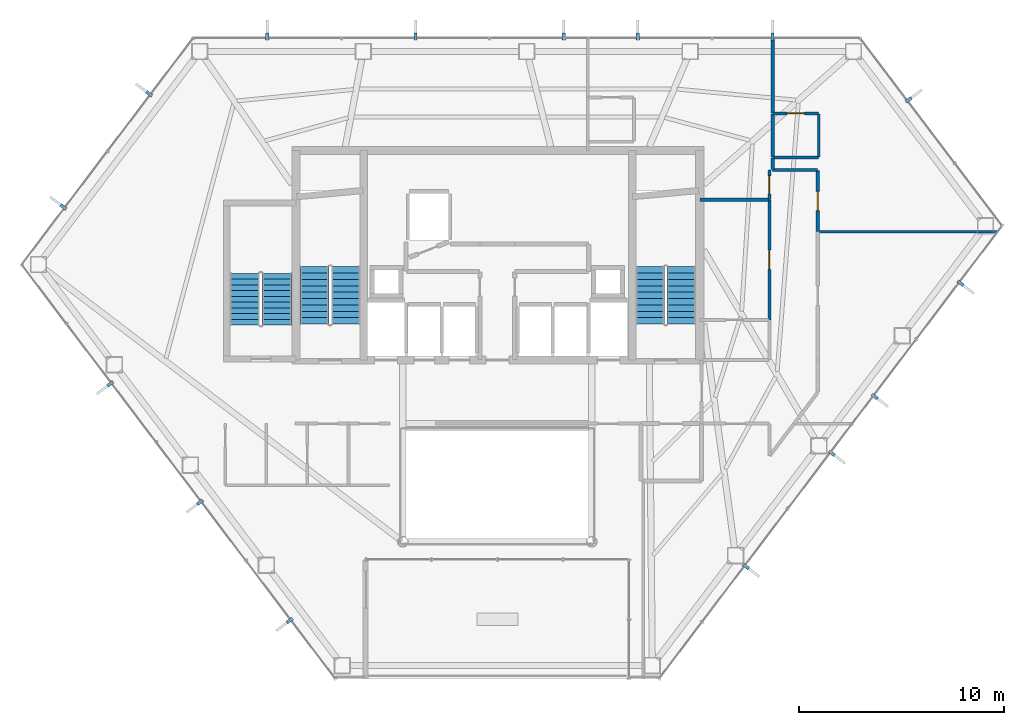
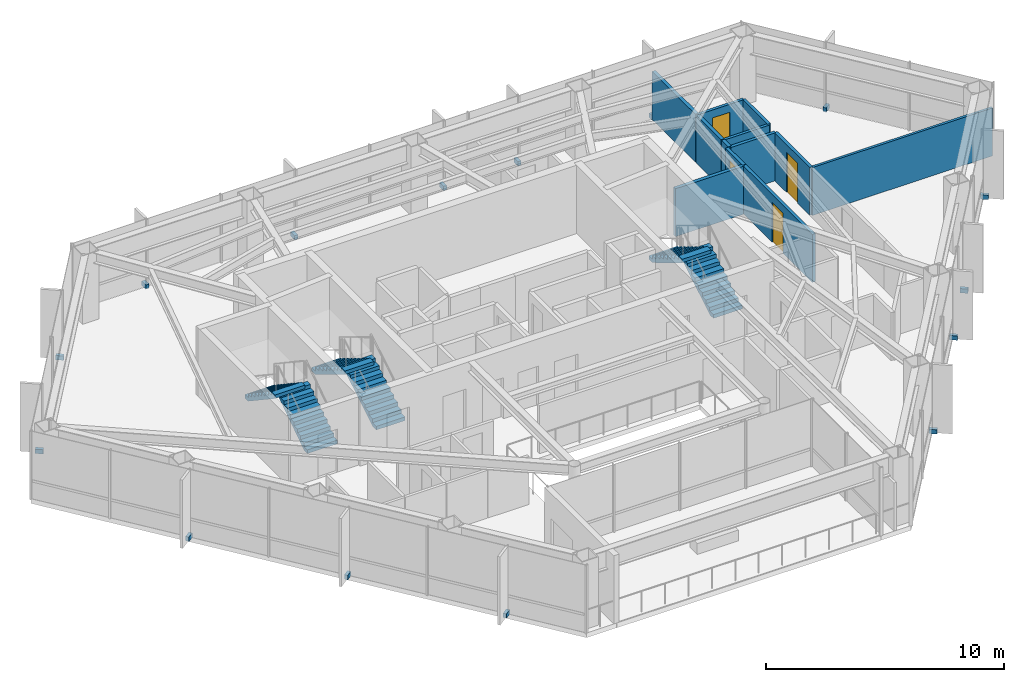
# One storey, part 27 of 28: 15 discrete accessories, 12 walls, 6 stair flights, 4 doors, 4 openings, 3 elements without a shape of their own.
"""IFC4 building model written with IfcOpenShell, lengths in metres."""

from ifc_helpers import new_model, si_unit, direction, frame, frame_2d, origin, origin_2d, place, context, subcontext, project, spatial, polyline, rectangle, outline, extrude, material, layer, layer_set, type_object, element, fill, aggregate, save


model = new_model("IFC4")

# Units and contexts
model_context = context("Model", 3, precision=1e-05, world=origin(), true_north=direction((0.0, 1.0)))
body_context = subcontext(model_context, "Body", "Model", "MODEL_VIEW")
ifc_project = project(units=[si_unit("LENGTHUNIT", "METRE"), si_unit("AREAUNIT", "SQUARE_METRE"), si_unit("VOLUMEUNIT", "CUBIC_METRE"), si_unit("PLANEANGLEUNIT", "RADIAN"), si_unit("MASSUNIT", "GRAM", prefix="KILO")], contexts=[model_context])

# Site, building, storey
site_placement = place(None, origin())
site = spatial("IfcSite", under=ifc_project, at=site_placement, CompositionType="ELEMENT")
building_placement = place(site_placement, origin())
building = spatial("IfcBuilding", under=site, at=building_placement, Name="Zarrinselat Tower", CompositionType="ELEMENT")
storey_placement = place(building_placement, frame((0.0, 0.0, 157.080078125)))
storey = spatial("IfcBuildingStorey", under=building, at=storey_placement, Name="L38", CompositionType="ELEMENT", Elevation=157.080078125)

# Walls
ifc_material_1 = material(Name="Fire-Rated Gypsum Board Partition", Category="gypsum")
ifc_layer_1 = layer(ifc_material_1, 0.1650390625)
ifc_layer_set_1 = layer_set([ifc_layer_1], Name="Fire-Rated Gypsum Board Partition")
wall_type_1 = type_object("IfcWallType", Name="WAL-PART-DEMISE", PredefinedType="PARTITIONING", material=ifc_layer_set_1)
wall_1_placement = place(storey_placement, frame((51.800048828125, 42.52001953125, 0.0), z_axis=(0.0, 0.0, 1.0), x_axis=(0.0, 1.0, 0.0)))
element("IfcWall", 1, at=wall_1_placement, inside=storey, type_object=wall_type_1, Name="L38 Partition Wall 48", PredefinedType="PARTITIONING", context=body_context, shape_type="SweptSolid", body=[
    extrude(rectangle(XDim=0.56494140625, YDim=0.1650390625, at=frame_2d((0.282470703125, 0.0))), origin(), (0.0, 0.0, 1.0), 2.45703125),
])
wall_2_placement = place(storey_placement, frame((51.800048828125, 45.27490234375, 0.0), z_axis=(0.0, 0.0, 1.0), x_axis=(0.0, 1.0, 0.0)))
element("IfcWall", 2, at=wall_2_placement, inside=storey, type_object=wall_type_1, Name="L38 Partition Wall 49", PredefinedType="PARTITIONING", context=body_context, shape_type="SweptSolid", body=[
    extrude(rectangle(XDim=3.626708984375, YDim=0.1650390625, at=frame_2d((1.8134765625, 0.0))), origin(), (0.0, 0.0, 1.0), 2.45703125),
])
wall_3_placement = place(storey_placement, frame((51.800048828125, 43.125, 0.0), z_axis=(0.0, 0.0, 1.0), x_axis=(0.0, 1.0, 0.0)))
element("IfcWall", 3, at=wall_3_placement, inside=storey, type_object=wall_type_1, Name="L38 Partition Wall 50", PredefinedType="PARTITIONING", context=body_context, shape_type="SweptSolid", body=[
    extrude(rectangle(XDim=2.110107421875, YDim=0.1650390625, at=frame_2d((1.05517578125, 0.0))), origin(), (0.0, 0.0, 1.0), 2.45703125),
])
wall_4_placement = place(storey_placement, frame((48.27490234375, 41.05322265625, 0.0), z_axis=(0.0, 0.0, 1.0), x_axis=(1.0, 0.0, 0.0)))
element("IfcWall", 4, at=wall_4_placement, inside=storey, type_object=wall_type_1, Name="L38 Partition Wall 52", PredefinedType="PARTITIONING", context=body_context, shape_type="SweptSolid", body=[
    extrude(rectangle(XDim=3.35498046875, YDim=0.1650390625, at=frame_2d((1.677490234375, 0.0))), origin(), (0.0, 0.0, 1.0), 2.45703125),
])
ifc_material_2 = material(Name="Fire-Rated Gypsum Board Partition", Category="gypsum")
ifc_layer_2 = layer(ifc_material_2, 0.14990234375)
ifc_layer_set_2 = layer_set([ifc_layer_2], Name="Fire-Rated Gypsum Board Partition")
wall_type_2 = type_object("IfcWallType", Name="WAL-PART-EI60", PredefinedType="PARTITIONING", material=ifc_layer_set_2)
wall_5_placement = place(storey_placement, frame((51.804931640625, 42.5, 0.0), z_axis=(0.0, 0.0, 1.0), x_axis=(1.0, 0.0, 0.0)))
element("IfcWall", 5, at=wall_5_placement, inside=storey, type_object=wall_type_2, Name="L38 Partition Wall 25", PredefinedType="PARTITIONING", context=body_context, shape_type="SweptSolid", body=[
    extrude(rectangle(XDim=2.175048828125, YDim=0.14990234375, at=frame_2d((1.08740234375, 0.0))), origin(), (0.0, 0.0, 1.0), 2.45703125),
])

# Wall, opening, door
wall_6_placement = place(storey_placement, frame((54.0, 39.50830078125, 0.0), z_axis=(0.0, 0.0, 1.0), x_axis=(0.0, 1.0, 0.0)))
wall_6 = element("IfcWall", 6, at=wall_6_placement, inside=storey, type_object=wall_type_2, Name="L38 Partition Wall 26", PredefinedType="PARTITIONING", context=body_context, shape_type="SweptSolid", body=[
    extrude(rectangle(XDim=2.9716796875, YDim=0.14990234375, at=frame_2d((1.48583984375, 0.0))), origin(), (0.0, 0.0, 1.0), 2.45703125),
])
opening_1_placement = place(wall_6_placement, frame((1.015869140625, 0.0, 0.0)))
opening_1 = element("IfcOpeningElement", 7, at=opening_1_placement, cuts=wall_6, Name="Opening ID-04", PredefinedType="OPENING", context=body_context, shape_type="SweptSolid", body=[
    extrude(rectangle(XDim=0.93994140625, YDim=2.050048828125, at=frame_2d((0.469970703125, 1.02490234375))), frame((0.0, 0.0849609375, 0.0), z_axis=(0.0, -1.0, 0.0), x_axis=(1.0, 0.0, 0.0)), (0.0, 0.0, 1.0), 0.169921875),
])
ifc_material_3 = material(Name="Fire-Rated Gypsum Board Partition")
door_type_1 = type_object("IfcDoorType", Name="DR-INT-FD30-ENT", OperationType="NOTDEFINED", PredefinedType="DOOR", material=ifc_material_3)
door_1_placement = place(opening_1_placement, origin())
door_1 = element("IfcDoor", 8, at=door_1_placement, inside=storey, type_object=door_type_1, Name="L38 Interior Door P26", OperationType="SINGLE_SWING_RIGHT", OverallHeight=2.050048828125, OverallWidth=0.93994140625, PredefinedType="DOOR", context=body_context, shape_type="SweptSolid", body=[
    extrude(rectangle(XDim=0.93994140625, YDim=2.050048828125, at=frame_2d((0.469970703125, 1.02490234375))), frame((0.0, 0.02490234375, 0.0), z_axis=(0.0, -1.0, 0.0), x_axis=(1.0, 0.0, 0.0)), (0.0, 0.0, 1.0), 0.050048828125),
])
fill(opening_1, door_1)

wall_7_placement = place(storey_placement, frame((51.64990234375, 35.205810546875, 0.0), z_axis=(0.0, 0.0, 1.0), x_axis=(0.0, 1.0, 0.0)))
wall_7 = element("IfcWall", 9, at=wall_7_placement, inside=storey, type_object=wall_type_2, Name="L38 Partition Wall 27", PredefinedType="PARTITIONING", context=body_context, shape_type="SweptSolid", body=[
    extrude(rectangle(XDim=5.842529296875, YDim=0.14990234375, at=frame_2d((2.92138671875, 0.0))), origin(), (0.0, 0.0, 1.0), 2.45703125),
])
opening_2_placement = place(wall_7_placement, frame((2.451171875, 0.0, 0.0)))
opening_2 = element("IfcOpeningElement", 10, at=opening_2_placement, cuts=wall_7, Name="Opening ID-04", PredefinedType="OPENING", context=body_context, shape_type="SweptSolid", body=[
    extrude(rectangle(XDim=0.93994140625, YDim=2.050048828125, at=frame_2d((0.469970703125, 1.02490234375))), frame((0.0, 0.0849609375, 0.0), z_axis=(0.0, -1.0, 0.0), x_axis=(1.0, 0.0, 0.0)), (0.0, 0.0, 1.0), 0.169921875),
])
door_2_placement = place(opening_2_placement, origin())
door_2 = element("IfcDoor", 11, at=door_2_placement, inside=storey, type_object=door_type_1, Name="L38 Interior Door P27", OperationType="SINGLE_SWING_LEFT", OverallHeight=2.050048828125, OverallWidth=0.93994140625, PredefinedType="DOOR", context=body_context, shape_type="SweptSolid", body=[
    extrude(rectangle(XDim=0.93994140625, YDim=2.050048828125, at=frame_2d((0.469970703125, 1.02490234375))), frame((0.0, 0.02490234375, 0.0), z_axis=(0.0, -1.0, 0.0), x_axis=(1.0, 0.0, 0.0)), (0.0, 0.0, 1.0), 0.050048828125),
])
fill(opening_2, door_2)

wall_8_placement = place(storey_placement, frame((51.64990234375, 41.058349609375, 0.0), z_axis=(0.0, 0.0, 1.0), x_axis=(0.0, 1.0, 0.0)))
wall_8 = element("IfcWall", 12, at=wall_8_placement, inside=storey, type_object=wall_type_2, Name="L38 Partition Wall 30", PredefinedType="PARTITIONING", context=body_context, shape_type="SweptSolid", body=[
    extrude(rectangle(XDim=1.441650390625, YDim=0.14990234375, at=frame_2d((0.720703125, 0.0))), origin(), (0.0, 0.0, 1.0), 2.45703125),
])
opening_3_placement = place(wall_8_placement, frame((0.28076171875, 0.0, 0.0)))
opening_3 = element("IfcOpeningElement", 13, at=opening_3_placement, cuts=wall_8, Name="Opening ID-03", PredefinedType="OPENING", context=body_context, shape_type="SweptSolid", body=[
    extrude(rectangle(XDim=0.8798828125, YDim=2.050048828125, at=frame_2d((0.43994140625, 1.02490234375))), frame((0.0, 0.0849609375, 0.0), z_axis=(0.0, -1.0, 0.0), x_axis=(1.0, 0.0, 0.0)), (0.0, 0.0, 1.0), 0.169921875),
])
ifc_material_4 = material(Name="Steel S355J2", Category="steel")
door_type_2 = type_object("IfcDoorType", Name="DR-INT-FD60-S", OperationType="NOTDEFINED", PredefinedType="DOOR", material=ifc_material_4)
door_3_placement = place(opening_3_placement, origin())
door_3 = element("IfcDoor", 14, at=door_3_placement, inside=storey, type_object=door_type_2, Name="L38 Interior Door P30", OperationType="SINGLE_SWING_RIGHT", OverallHeight=2.050048828125, OverallWidth=0.8798828125, PredefinedType="DOOR", context=body_context, shape_type="SweptSolid", body=[
    extrude(rectangle(XDim=0.8798828125, YDim=2.050048828125, at=frame_2d((0.43994140625, 1.02490234375))), frame((0.0, 0.02490234375, 0.0), z_axis=(0.0, -1.0, 0.0), x_axis=(1.0, 0.0, 0.0)), (0.0, 0.0, 1.0), 0.050048828125),
])
fill(opening_3, door_3)

# Walls
ifc_material_5 = material(Name="Fire-Rated Gypsum Board Partition", Category="gypsum")
ifc_layer_3 = layer(ifc_material_5, 0.1201171875)
ifc_layer_set_3 = layer_set([ifc_layer_3], Name="Fire-Rated Gypsum Board Partition")
wall_type_3 = type_object("IfcWallType", Name="WAL-PART-STD", PredefinedType="PARTITIONING", material=ifc_layer_set_3)
wall_9_placement = place(storey_placement, frame((54.02001953125, 39.50341796875, 0.0), z_axis=(0.0, 0.0, 1.0), x_axis=(1.0, 0.0, 0.0)))
element("IfcWall", 15, at=wall_9_placement, inside=storey, type_object=wall_type_3, Name="L38 Partition Wall 44", PredefinedType="PARTITIONING", context=body_context, shape_type="SweptSolid", body=[
    extrude(rectangle(XDim=8.733642578125, YDim=0.1201171875, at=frame_2d((4.36669921875, 0.0))), origin(), (0.0, 0.0, 1.0), 2.45703125),
])
ifc_material_6 = material(Name="Fire-Rated Gypsum Board Partition", Category="gypsum")
ifc_layer_4 = layer(ifc_material_6, 0.135009765625)
ifc_layer_set_4 = layer_set([ifc_layer_4], Name="Fire-Rated Gypsum Board Partition")
wall_type_4 = type_object("IfcWallType", Name="WAL-PART-WET", PredefinedType="PARTITIONING", material=ifc_layer_set_4)
wall_10_placement = place(storey_placement, frame((51.820068359375, 43.10498046875, 0.0), z_axis=(0.0, 0.0, 1.0), x_axis=(1.0, 0.0, 0.0)))
element("IfcWall", 16, at=wall_10_placement, inside=storey, type_object=wall_type_4, Name="L38 Partition Wall 45", PredefinedType="PARTITIONING", context=body_context, shape_type="SweptSolid", body=[
    extrude(rectangle(XDim=2.2099609375, YDim=0.135009765625, at=frame_2d((1.10498046875, 0.0))), origin(), (0.0, 0.0, 1.0), 2.45703125),
])
wall_11_placement = place(storey_placement, frame((54.050048828125, 43.125, 0.0), z_axis=(0.0, 0.0, 1.0), x_axis=(0.0, 1.0, 0.0)))
element("IfcWall", 17, at=wall_11_placement, inside=storey, type_object=wall_type_4, Name="L38 Partition Wall 46", PredefinedType="PARTITIONING", context=body_context, shape_type="SweptSolid", body=[
    extrude(rectangle(XDim=2.110107421875, YDim=0.135009765625, at=frame_2d((1.05517578125, 0.0))), origin(), (0.0, 0.0, 1.0), 2.45703125),
])

# Wall, opening, door
wall_12_placement = place(storey_placement, frame((51.820068359375, 45.2548828125, 0.0), z_axis=(0.0, 0.0, 1.0), x_axis=(1.0, 0.0, 0.0)))
wall_12 = element("IfcWall", 18, at=wall_12_placement, inside=storey, type_object=wall_type_4, Name="L38 Partition Wall 47", PredefinedType="PARTITIONING", context=body_context, shape_type="SweptSolid", body=[
    extrude(rectangle(XDim=2.2099609375, YDim=0.135009765625, at=frame_2d((1.10498046875, 0.0))), origin(), (0.0, 0.0, 1.0), 2.45703125),
])
opening_4_placement = place(wall_12_placement, frame((0.675048828125, 0.0, 0.0)))
opening_4 = element("IfcOpeningElement", 19, at=opening_4_placement, cuts=wall_12, Name="Opening ID-06", PredefinedType="OPENING", context=body_context, shape_type="SweptSolid", body=[
    extrude(rectangle(XDim=0.860107421875, YDim=2.050048828125, at=frame_2d((0.43017578125, 1.02490234375))), frame((0.0, 0.077392578125, 0.0), z_axis=(0.0, -1.0, 0.0), x_axis=(1.0, 0.0, 0.0)), (0.0, 0.0, 1.0), 0.155029296875),
])
ifc_material_7 = material(Name="Extruded Aluminium Alloy EN AW-6063 T6", Category="aluminium")
door_type_3 = type_object("IfcDoorType", Name="DR-INT-WET-900", OperationType="NOTDEFINED", PredefinedType="DOOR", material=ifc_material_7)
door_4_placement = place(opening_4_placement, origin())
door_4 = element("IfcDoor", 20, at=door_4_placement, inside=storey, type_object=door_type_3, Name="L38 Interior Door P47", OperationType="SINGLE_SWING_LEFT", OverallHeight=2.050048828125, OverallWidth=0.860107421875, PredefinedType="DOOR", context=body_context, shape_type="SweptSolid", body=[
    extrude(rectangle(XDim=0.860107421875, YDim=2.050048828125, at=frame_2d((0.43017578125, 1.02490234375))), frame((0.0, 0.02490234375, 0.0), z_axis=(0.0, -1.0, 0.0), x_axis=(1.0, 0.0, 0.0)), (0.0, 0.0, 1.0), 0.050048828125),
])
fill(opening_4, door_4)

# Stair, stair flights
ifc_material_8 = material(Name="Concrete C40/50", Category="concrete")
stair_type_1 = type_object("IfcStairType", Name="STR-CORE-145", PredefinedType="HALF_TURN_STAIR", material=ifc_material_8)
stair_1_placement = place(storey_placement, origin())
stair_1 = element("IfcStair", 21, at=stair_1_placement, inside=storey, type_object=stair_type_1, Name="L38 Podium & Mid-Tower Exit Stair 3", PredefinedType="HALF_TURN_STAIR")
ifc_material_9 = material(Name="Concrete C40/50", Category="concrete")
stair_flight_type_1 = type_object("IfcStairFlightType", Name="STR-FLT-145", PredefinedType="STRAIGHT", material=ifc_material_9)
stair_flight_1_placement = place(storey_placement, frame((27.675048828125, 34.949951171875, 0.0), z_axis=(0.0, 0.0, 1.0), x_axis=(0.0, 1.0, 0.0)))
stair_flight_1 = element("IfcStairFlight", 22, at=stair_flight_1_placement, type_object=stair_flight_type_1, Name="ST-3 flight 1", NumberOfRisers=10, NumberOfTreads=9, PredefinedType="STRAIGHT", RiserHeight=0.187, TreadLength=0.28, context=body_context, shape_type="SweptSolid", body=[
    extrude(outline(polyline([(0.0, 0.0), (0.0, 0.18701171875), (0.280029296875, 0.18701171875), (0.280029296875, 0.3740234375), (0.56005859375, 0.3740234375), (0.56005859375, 0.56103515625), (0.840087890625, 0.56103515625), (0.840087890625, 0.748046875), (1.1201171875, 0.748046875), (1.1201171875, 0.93505859375), (1.39990234375, 0.93505859375), (1.39990234375, 1.1220703125), (1.679931640625, 1.1220703125), (1.679931640625, 1.30908203125), (1.9599609375, 1.30908203125), (1.9599609375, 1.49609375), (2.239990234375, 1.49609375), (2.239990234375, 1.68310546875), (2.52001953125, 1.68310546875), (2.52001953125, 1.8701171875), (2.52001953125, 1.502685546875), (0.27001953125, 0.0), (0.0, 0.0)])), frame((0.0, 0.72509765625, 0.0), z_axis=(0.0, -1.0, 0.0), x_axis=(1.0, 0.0, 0.0)), (0.0, 0.0, 1.0), 1.449951171875),
])
stair_flight_2_placement = place(storey_placement, frame((26.10498046875, 37.469970703125, 1.869873046875), z_axis=(0.0, 0.0, 1.0), x_axis=(0.0, -1.0, 0.0)))
stair_flight_2 = element("IfcStairFlight", 23, at=stair_flight_2_placement, type_object=stair_flight_type_1, Name="ST-3 flight 2", NumberOfRisers=10, NumberOfTreads=9, PredefinedType="STRAIGHT", RiserHeight=0.187, TreadLength=0.28, context=body_context, shape_type="SweptSolid", body=[
    extrude(outline(polyline([(0.0, 0.0), (0.0, 0.18701171875), (0.280029296875, 0.18701171875), (0.280029296875, 0.3740234375), (0.56005859375, 0.3740234375), (0.56005859375, 0.56103515625), (0.840087890625, 0.56103515625), (0.840087890625, 0.748046875), (1.1201171875, 0.748046875), (1.1201171875, 0.93505859375), (1.39990234375, 0.93505859375), (1.39990234375, 1.1220703125), (1.679931640625, 1.1220703125), (1.679931640625, 1.30908203125), (1.9599609375, 1.30908203125), (1.9599609375, 1.49609375), (2.239990234375, 1.49609375), (2.239990234375, 1.68310546875), (2.52001953125, 1.68310546875), (2.52001953125, 1.8701171875), (2.52001953125, 1.502685546875), (0.27001953125, 0.0), (0.0, 0.0)])), frame((0.0, 0.72509765625, 0.0), z_axis=(0.0, -1.0, 0.0), x_axis=(1.0, 0.0, 0.0)), (0.0, 0.0, 1.0), 1.449951171875),
])
aggregate(stair_1, [stair_flight_1, stair_flight_2])

ifc_material_10 = material(Name="Concrete C40/50", Category="concrete")
stair_type_2 = type_object("IfcStairType", Name="STR-CORE-155", PredefinedType="HALF_TURN_STAIR", material=ifc_material_10)
stair_2_placement = place(storey_placement, origin())
stair_2 = element("IfcStair", 24, at=stair_2_placement, inside=storey, type_object=stair_type_2, Name="L38 Core Exit Stair 1", PredefinedType="HALF_TURN_STAIR")
ifc_material_11 = material(Name="Concrete C40/50", Category="concrete")
stair_flight_type_2 = type_object("IfcStairFlightType", Name="STR-FLT-155", PredefinedType="STRAIGHT", material=ifc_material_11)
stair_flight_3_placement = place(storey_placement, frame((31.02001953125, 35.0, 0.0), z_axis=(0.0, 0.0, 1.0), x_axis=(0.0, 1.0, 0.0)))
stair_flight_3 = element("IfcStairFlight", 25, at=stair_flight_3_placement, type_object=stair_flight_type_2, Name="ST-1 flight 1", NumberOfRisers=10, NumberOfTreads=9, PredefinedType="STRAIGHT", RiserHeight=0.187, TreadLength=0.31, context=body_context, shape_type="SweptSolid", body=[
    extrude(outline(polyline([(0.0, 0.0), (0.0, 0.18701171875), (0.31005859375, 0.18701171875), (0.31005859375, 0.3740234375), (0.6201171875, 0.3740234375), (0.6201171875, 0.56103515625), (0.929931640625, 0.56103515625), (0.929931640625, 0.748046875), (1.239990234375, 0.748046875), (1.239990234375, 0.93505859375), (1.550048828125, 0.93505859375), (1.550048828125, 1.1220703125), (1.860107421875, 1.1220703125), (1.860107421875, 1.30908203125), (2.169921875, 1.30908203125), (2.169921875, 1.49609375), (2.47998046875, 1.49609375), (2.47998046875, 1.68310546875), (2.7900390625, 1.68310546875), (2.7900390625, 1.8701171875), (2.7900390625, 1.508056640625), (0.290283203125, 0.0), (0.0, 0.0)])), frame((0.0, 0.699951171875, 0.0), z_axis=(0.0, -1.0, 0.0), x_axis=(1.0, 0.0, 0.0)), (0.0, 0.0, 1.0), 1.39990234375),
])
stair_flight_4_placement = place(storey_placement, frame((29.5, 37.7900390625, 1.869873046875), z_axis=(0.0, 0.0, 1.0), x_axis=(0.0, -1.0, 0.0)))
stair_flight_4 = element("IfcStairFlight", 26, at=stair_flight_4_placement, type_object=stair_flight_type_2, Name="ST-1 flight 2", NumberOfRisers=10, NumberOfTreads=9, PredefinedType="STRAIGHT", RiserHeight=0.187, TreadLength=0.31, context=body_context, shape_type="SweptSolid", body=[
    extrude(outline(polyline([(0.0, 0.0), (0.0, 0.18701171875), (0.31005859375, 0.18701171875), (0.31005859375, 0.3740234375), (0.6201171875, 0.3740234375), (0.6201171875, 0.56103515625), (0.929931640625, 0.56103515625), (0.929931640625, 0.748046875), (1.239990234375, 0.748046875), (1.239990234375, 0.93505859375), (1.550048828125, 0.93505859375), (1.550048828125, 1.1220703125), (1.860107421875, 1.1220703125), (1.860107421875, 1.30908203125), (2.169921875, 1.30908203125), (2.169921875, 1.49609375), (2.47998046875, 1.49609375), (2.47998046875, 1.68310546875), (2.7900390625, 1.68310546875), (2.7900390625, 1.8701171875), (2.7900390625, 1.508056640625), (0.290283203125, 0.0), (0.0, 0.0)])), frame((0.0, 0.699951171875, 0.0), z_axis=(0.0, -1.0, 0.0), x_axis=(1.0, 0.0, 0.0)), (0.0, 0.0, 1.0), 1.39990234375),
])
aggregate(stair_2, [stair_flight_3, stair_flight_4])

stair_3_placement = place(storey_placement, origin())
stair_3 = element("IfcStair", 27, at=stair_3_placement, inside=storey, type_object=stair_type_2, Name="L38 Core Exit Stair 2", PredefinedType="HALF_TURN_STAIR")
stair_flight_5_placement = place(storey_placement, frame((47.360107421875, 35.0, 0.0), z_axis=(0.0, 0.0, 1.0), x_axis=(0.0, 1.0, 0.0)))
stair_flight_5 = element("IfcStairFlight", 28, at=stair_flight_5_placement, type_object=stair_flight_type_2, Name="ST-2 flight 1", NumberOfRisers=10, NumberOfTreads=9, PredefinedType="STRAIGHT", RiserHeight=0.187, TreadLength=0.31, context=body_context, shape_type="SweptSolid", body=[
    extrude(outline(polyline([(0.0, 0.0), (0.0, 0.18701171875), (0.31005859375, 0.18701171875), (0.31005859375, 0.3740234375), (0.6201171875, 0.3740234375), (0.6201171875, 0.56103515625), (0.929931640625, 0.56103515625), (0.929931640625, 0.748046875), (1.239990234375, 0.748046875), (1.239990234375, 0.93505859375), (1.550048828125, 0.93505859375), (1.550048828125, 1.1220703125), (1.860107421875, 1.1220703125), (1.860107421875, 1.30908203125), (2.169921875, 1.30908203125), (2.169921875, 1.49609375), (2.47998046875, 1.49609375), (2.47998046875, 1.68310546875), (2.7900390625, 1.68310546875), (2.7900390625, 1.8701171875), (2.7900390625, 1.508056640625), (0.290283203125, 0.0), (0.0, 0.0)])), frame((0.0, 0.699951171875, 0.0), z_axis=(0.0, -1.0, 0.0), x_axis=(1.0, 0.0, 0.0)), (0.0, 0.0, 1.0), 1.39990234375),
])
stair_flight_6_placement = place(storey_placement, frame((45.840087890625, 37.7900390625, 1.869873046875), z_axis=(0.0, 0.0, 1.0), x_axis=(0.0, -1.0, 0.0)))
stair_flight_6 = element("IfcStairFlight", 29, at=stair_flight_6_placement, type_object=stair_flight_type_2, Name="ST-2 flight 2", NumberOfRisers=10, NumberOfTreads=9, PredefinedType="STRAIGHT", RiserHeight=0.187, TreadLength=0.31, context=body_context, shape_type="SweptSolid", body=[
    extrude(outline(polyline([(0.0, 0.0), (0.0, 0.18701171875), (0.31005859375, 0.18701171875), (0.31005859375, 0.3740234375), (0.6201171875, 0.3740234375), (0.6201171875, 0.56103515625), (0.929931640625, 0.56103515625), (0.929931640625, 0.748046875), (1.239990234375, 0.748046875), (1.239990234375, 0.93505859375), (1.550048828125, 0.93505859375), (1.550048828125, 1.1220703125), (1.860107421875, 1.1220703125), (1.860107421875, 1.30908203125), (2.169921875, 1.30908203125), (2.169921875, 1.49609375), (2.47998046875, 1.49609375), (2.47998046875, 1.68310546875), (2.7900390625, 1.68310546875), (2.7900390625, 1.8701171875), (2.7900390625, 1.508056640625), (0.290283203125, 0.0), (0.0, 0.0)])), frame((0.0, 0.699951171875, 0.0), z_axis=(0.0, -1.0, 0.0), x_axis=(1.0, 0.0, 0.0)), (0.0, 0.0, 1.0), 1.39990234375),
])
aggregate(stair_3, [stair_flight_5, stair_flight_6])

# Discrete accessories
ifc_material_12 = material(Name="Steel S355J2", Category="steel")
discrete_accessory_type = type_object("IfcDiscreteAccessoryType", Name="ACC-FIN-BRACKET", PredefinedType="BRACKET", material=ifc_material_12)
for number, where, z_axis, x_axis, name in (
    (30, (28.2919921875, 20.563232421875, -0.05029296875), (0.0, 0.0, 1.0), (-0.797091917639, -0.603857992276, 0.0), "L38 Fin Fixing Bracket CW-L38-E01-01"),
    (31, (23.92529296875, 26.327392578125, -0.05029296875), (0.0, 0.0, 1.0), (-0.797091917639, -0.603857992276, 0.0), "L38 Fin Fixing Bracket CW-L38-E01-03"),
    (32, (19.55859375, 32.091552734375, -0.05029296875), (0.0, 0.0, 1.0), (-0.797091917639, -0.603857992276, 0.0), "L38 Fin Fixing Bracket CW-L38-E01-05"),
    (33, (17.278564453125, 40.695068359375, -0.05029296875), (0.0, 0.0, 1.0), (-0.797092148154, 0.603857687995, 0.0), "L38 Fin Fixing Bracket CW-L38-E02-01"),
    (34, (21.452392578125, 46.204345703125, -0.05029296875), (0.0, 0.0, 1.0), (-0.797092148154, 0.603857687995, 0.0), "L38 Fin Fixing Bracket CW-L38-E02-03"),
    (35, (27.202880859375, 48.98681640625, -0.05029296875), (0.0, 0.0, 1.0), (0.0, 1.0, 0.0), "L38 Fin Fixing Bracket CW-L38-E03-01"),
    (36, (34.41845703125, 48.98681640625, -0.05029296875), (0.0, 0.0, 1.0), (0.0, 1.0, 0.0), "L38 Fin Fixing Bracket CW-L38-E03-03"),
    (37, (41.634033203125, 48.98681640625, -0.05029296875), (0.0, 0.0, 1.0), (0.0, 1.0, 0.0), "L38 Fin Fixing Bracket CW-L38-E03-05"),
    (38, (45.24169921875, 48.98681640625, -0.05029296875), (0.0, 0.0, 1.0), (0.0, 1.0, 0.0), "L38 Fin Fixing Bracket CW-L38-E03-07"),
    (39, (51.800048828125, 48.98681640625, -0.05029296875), (0.0, 0.0, 1.0), (0.0, 1.0, 0.0), "L38 Fin Fixing Bracket CW-L38-E03-09"),
    (40, (58.4267578125, 45.915283203125, -0.05029296875), (0.0, 0.0, 1.0), (0.797093166766, 0.603856343425, 0.0), "L38 Fin Fixing Bracket CW-L38-E04-01"),
    (41, (60.94921875, 36.985595703125, -0.05029296875), (0.0, 0.0, 1.0), (0.797091515785, -0.603858522722, 0.0), "L38 Fin Fixing Bracket CW-L38-E05-01"),
    (42, (56.770751953125, 31.469970703125, -0.05029296875), (0.0, 0.0, 1.0), (0.797091515785, -0.603858522722, 0.0), "L38 Fin Fixing Bracket CW-L38-E05-03"),
    (43, (54.681396484375, 28.71240234375, -0.05029296875), (0.0, 0.0, 1.0), (0.797091515785, -0.603858522722, 0.0), "L38 Fin Fixing Bracket CW-L38-E05-05"),
    (44, (50.5029296875, 23.19677734375, -0.05029296875), (0.0, 0.0, 1.0), (0.797091515785, -0.603858522722, 0.0), "L38 Fin Fixing Bracket CW-L38-E05-07"),
):
    element("IfcDiscreteAccessory", number, at=place(storey_placement, frame(where, z_axis=z_axis, x_axis=x_axis)), inside=storey, type_object=discrete_accessory_type, Name=name, PredefinedType="BRACKET", context=body_context, shape_type="SweptSolid", body=[
        extrude(rectangle(XDim=0.340087890625, YDim=0.159912109375, at=origin_2d()), origin(), (0.0, 0.0, 1.0), 0.219970703125),
    ])

save(model, "model.ifc")
